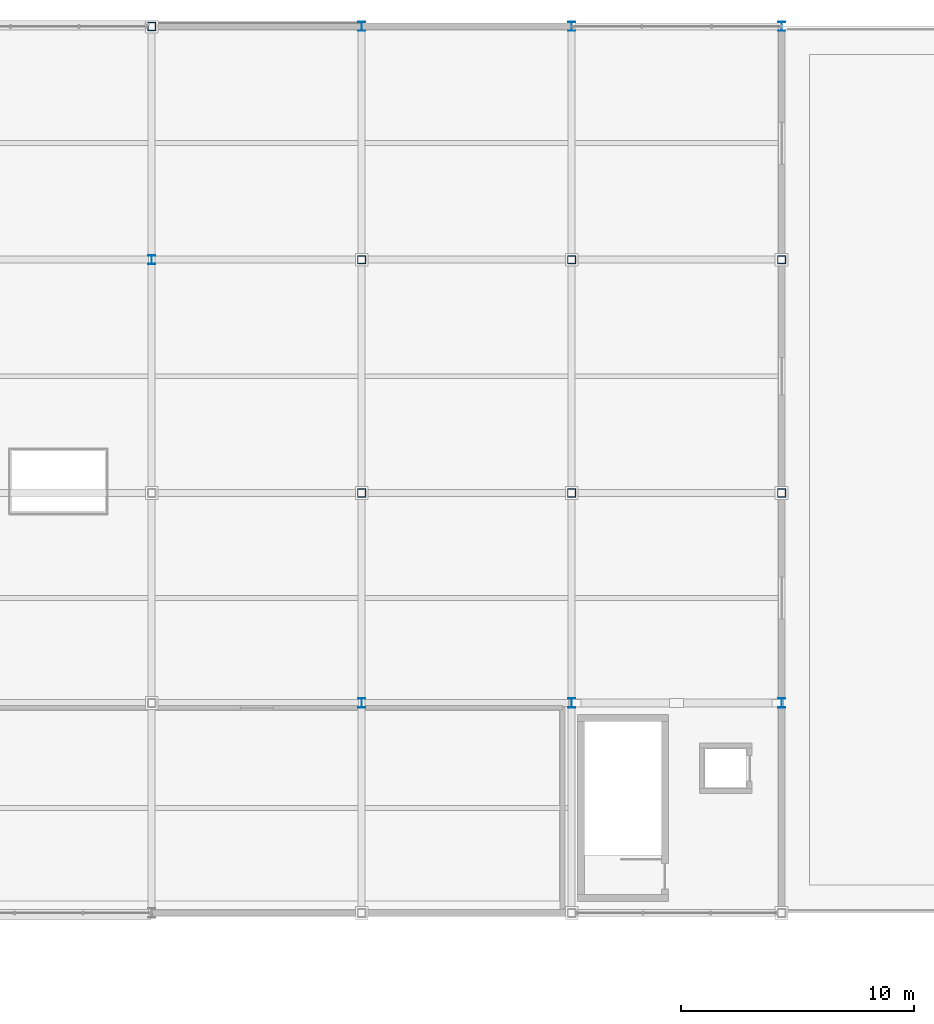
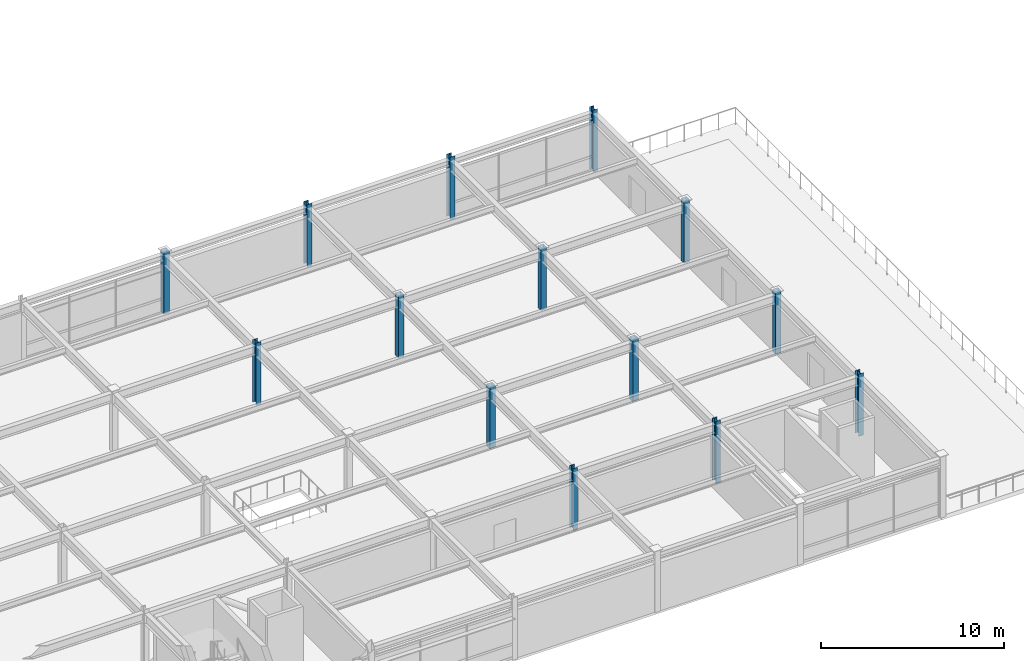
# One storey, part 4 of 40: 14 columns.
"""IFC4 building model written with IfcOpenShell, lengths in metres."""

import ifcopenshell
import ifcopenshell.guid

model = None  # the IFC model being written
_history = None  # IfcOwnerHistory: only IFC2X3 demands one
_inside = {}  # id of a spatial element -> (the spatial element, [elements in it])
_under = {}  # id of a project, library or spatial element -> (it, [spatial elements below it])
_declared = {}  # id of a project -> (the project, [libraries it declares])
_typed = {}  # id of a type object -> (the type object, [elements of that type])
_made_of = {}  # id of a material, layer set ... -> (it, [elements and type objects made of it])


def new_model(schema):
    """Start an empty IFC model of exactly this schema.

    Asked for "IFC4X3", IfcOpenShell would pick the latest addendum, in which some entities
    have other attributes; the version numbers below select the first issue.
    IFC2X3 requires an IfcOwnerHistory on every rooted entity: one is made here for all.
    """
    global model, _history
    if schema == "IFC4X3":
        model = ifcopenshell.file(schema_version=(4, 3, 0, 0))
    else:
        model = ifcopenshell.file(schema=schema)
    _inside.clear()
    _under.clear()
    _declared.clear()
    _typed.clear()
    _made_of.clear()
    _history = None
    if model.schema == "IFC2X3":
        org = make("IfcOrganization", Name="unknown")
        user = make(
            "IfcPersonAndOrganization",
            ThePerson=make("IfcPerson", FamilyName="unknown"),
            TheOrganization=org,
        )
        app = make(
            "IfcApplication",
            ApplicationDeveloper=org,
            Version="unknown",
            ApplicationFullName="unknown",
            ApplicationIdentifier="unknown",
        )
        _history = make(
            "IfcOwnerHistory",
            OwningUser=user,
            OwningApplication=app,
            ChangeAction="ADDED",
            CreationDate=0,
        )
    return model


def make(cls, **values):
    """One entity of the class cls with the attributes given. An attribute that is None is left unset."""
    return model.create_entity(
        cls, **{name: value for name, value in values.items() if value is not None}
    )


def rooted(cls, **values):
    """An entity with a GlobalId (a new one), such as an element, a storey or a relation."""
    return make(cls, GlobalId=ifcopenshell.guid.new(), OwnerHistory=_history, **values)


def si_unit(unit_type, name, prefix=None):
    """IfcSIUnit, for example si_unit("LENGTHUNIT", "METRE", prefix="MILLI")."""
    return make("IfcSIUnit", UnitType=unit_type, Prefix=prefix, Name=name)


def assignment(units):
    """IfcUnitAssignment: the units of a project."""
    return None if units is None else make("IfcUnitAssignment", Units=units)


def point(xyz):
    """IfcCartesianPoint."""
    return None if xyz is None else make("IfcCartesianPoint", Coordinates=xyz)


def direction(xyz):
    """IfcDirection."""
    return None if xyz is None else make("IfcDirection", DirectionRatios=xyz)


def frame(location, z_axis=None, x_axis=None):
    """IfcAxis2Placement3D, a coordinate frame: its origin and axes. An axis left out is left unset."""
    return make(
        "IfcAxis2Placement3D",
        Location=point(location),
        Axis=direction(z_axis),
        RefDirection=direction(x_axis),
    )


def frame_2d(location, x_axis=None):
    """IfcAxis2Placement2D, a coordinate frame in the plane: its origin and x axis."""
    return make(
        "IfcAxis2Placement2D", Location=point(location), RefDirection=direction(x_axis)
    )


def origin():
    """The frame at (0, 0, 0) with its axes left unset."""
    return frame((0.0, 0.0, 0.0))


def origin_2d():
    """The frame at (0, 0) in the plane with its x axis left unset."""
    return frame_2d((0.0, 0.0))


def place(relative_to, where):
    """IfcLocalPlacement: puts the frame where relative to a parent placement (None: the world)."""
    return make(
        "IfcLocalPlacement", PlacementRelTo=relative_to, RelativePlacement=where
    )


def context(
    kind, dimensions, precision=None, world=None, true_north=None, identifier=None
):
    """IfcGeometricRepresentationContext, for example the 3D "Model" context."""
    return make(
        "IfcGeometricRepresentationContext",
        ContextIdentifier=identifier,
        ContextType=kind,
        CoordinateSpaceDimension=dimensions,
        Precision=precision,
        WorldCoordinateSystem=world,
        TrueNorth=true_north,
    )


def subcontext(parent, identifier, kind, view, scale=None):
    """IfcGeometricRepresentationSubContext, for example "Body" below "Model"."""
    return make(
        "IfcGeometricRepresentationSubContext",
        ContextIdentifier=identifier,
        ContextType=kind,
        ParentContext=parent,
        TargetScale=scale,
        TargetView=view,
    )


def project(units=None, contexts=None):
    """IfcProject with its units and contexts."""
    return rooted(
        "IfcProject",
        Name="project",
        RepresentationContexts=contexts,
        UnitsInContext=assignment(units),
    )


def spatial(cls, under=None, at=None, **own):
    """A site, building, storey or space (cls), placed at a placement, below another one or the project."""
    s = rooted(cls, ObjectPlacement=at, **own)
    if under is not None:
        _under.setdefault(under.id(), (under, []))[1].append(s)
    return s


def profile(cls, at=None, kind="AREA", **sizes):
    """A parametric profile (cls). Its sizes go by their IFC names, for example OverallWidth=200.0."""
    return make(cls, ProfileType=kind, Position=at, **sizes)


def hollow_rectangle(**sizes):
    """IfcRectangleHollowProfileDef."""
    return profile("IfcRectangleHollowProfileDef", **sizes)


def i_section(**sizes):
    """IfcIShapeProfileDef."""
    return profile("IfcIShapeProfileDef", **sizes)


def extrude(swept, where, along, depth):
    """IfcExtrudedAreaSolid: the profile swept, set in the frame where, extruded along a direction by depth."""
    return make(
        "IfcExtrudedAreaSolid",
        SweptArea=swept,
        Position=where,
        ExtrudedDirection=direction(along),
        Depth=depth,
    )


def shape(context_of_items, identifier, shape_type, items):
    """IfcShapeRepresentation: the items that make up one representation, for example the "Body"."""
    return make(
        "IfcShapeRepresentation",
        ContextOfItems=context_of_items,
        RepresentationIdentifier=identifier,
        RepresentationType=shape_type,
        Items=items,
    )


def material(Name=None, Category=None):
    """IfcMaterial."""
    return make("IfcMaterial", Name=Name, Category=Category)


def material_profile(
    of_material, cross_section, Name=None, Category=None, Priority=None
):
    """IfcMaterialProfile: a cross section and its material."""
    return make(
        "IfcMaterialProfile",
        Name=Name,
        Material=of_material,
        Profile=cross_section,
        Priority=Priority,
        Category=Category,
    )


def profile_set(profiles, Name=None, composite=None):
    """IfcMaterialProfileSet."""
    return make(
        "IfcMaterialProfileSet",
        Name=Name,
        MaterialProfiles=profiles,
        CompositeProfile=composite,
    )


def made_of(thing, what):
    """Note that an element or type object is made of a material, layer set ...; save() writes the relation."""
    if what is not None:
        _made_of.setdefault(what.id(), (what, []))[1].append(thing)
    return thing


def type_object(cls, material=None, **own):
    """A type object (cls), such as IfcWallType, which elements share."""
    return made_of(rooted(cls, **own), material)


def element(
    cls,
    number,
    at=None,
    inside=None,
    cuts=None,
    type_object=None,
    material=None,
    context=None,
    identifier="Body",
    shape_type=None,
    held_by="IfcProductDefinitionShape",
    body=None,
    shapes=None,
    **own,
):
    """One element of the class cls, such as IfcWall. Its Tag is "e" and its number.

    at: its placement. inside: the storey or other place that contains it. cuts: it is an
    opening in that element (IfcRelVoidsElement). A single representation is given by context,
    identifier, shape_type and body (its items); several are given by shapes. held_by: the class
    of the entity that holds the representations. save() writes the other relations.
    """
    e = rooted(cls, Tag="e%d" % number, ObjectPlacement=at, **own)
    if body is not None:
        shapes = [shape(context, identifier, shape_type, body)]
    if shapes is not None:
        e.Representation = make(held_by, Representations=shapes)
    if inside is not None:
        _inside.setdefault(inside.id(), (inside, []))[1].append(e)
    if cuts is not None:
        rooted(
            "IfcRelVoidsElement", RelatingBuildingElement=cuts, RelatedOpeningElement=e
        )
    if type_object is not None:
        _typed.setdefault(type_object.id(), (type_object, []))[1].append(e)
    return made_of(e, material)


def aggregate(whole, parts):
    """IfcRelAggregates: a whole, such as a stair, and the parts it consists of."""
    return rooted("IfcRelAggregates", RelatingObject=whole, RelatedObjects=parts)


def save(model, path):
    """Write the relations noted so far, then the file.

    IfcRelAggregates (storeys below a building ...), IfcRelContainedInSpatialStructure (elements
    in a storey), IfcRelDefinesByType, IfcRelAssociatesMaterial and IfcRelDeclares: one each for
    every whole, place, type object, material and project.
    """
    for whole, parts in _under.values():
        aggregate(whole, parts)
    for where, things in _inside.values():
        rooted(
            "IfcRelContainedInSpatialStructure",
            RelatedElements=things,
            RelatingStructure=where,
        )
    for kind, things in _typed.values():
        rooted("IfcRelDefinesByType", RelatedObjects=things, RelatingType=kind)
    for what, things in _made_of.values():
        rooted("IfcRelAssociatesMaterial", RelatedObjects=things, RelatingMaterial=what)
    for by, libraries in _declared.values():
        rooted("IfcRelDeclares", RelatingContext=by, RelatedDefinitions=libraries)
    model.write(path)


model = new_model("IFC4")

# Units and contexts
model_context = context("Model", 3, precision=1e-05, world=origin(), true_north=direction((0.0, 1.0)))
body_context = subcontext(model_context, "Body", "Model", "MODEL_VIEW")
ifc_project = project(units=[si_unit("LENGTHUNIT", "METRE"), si_unit("AREAUNIT", "SQUARE_METRE"), si_unit("VOLUMEUNIT", "CUBIC_METRE"), si_unit("PLANEANGLEUNIT", "RADIAN"), si_unit("MASSUNIT", "GRAM", prefix="KILO")], contexts=[model_context])

# Site, building, storey
site_placement = place(None, origin())
site = spatial("IfcSite", under=ifc_project, at=site_placement, CompositionType="ELEMENT")
building_placement = place(site_placement, origin())
building = spatial("IfcBuilding", under=site, at=building_placement, Name="Suzunagisa Mobility Hub", CompositionType="ELEMENT")
storey_placement = place(building_placement, frame((0.0, 0.0, 21.89990234375)))
storey = spatial("IfcBuildingStorey", under=building, at=storey_placement, Name="L05", CompositionType="ELEMENT", Elevation=21.89990234375)

# Columns
ifc_material = material(Name="Steel SN490B", Category="steel")
ifc_material_profile_1 = material_profile(ifc_material, hollow_rectangle(XDim=0.35009765625, YDim=0.35009765625, WallThickness=0.01611328125, at=origin_2d()), Name="BCR-350x350x16")
ifc_profile_set_1 = profile_set([ifc_material_profile_1], Name="Steel SN490B")
column_type_1 = type_object("IfcColumnType", Name="Steel Column CL-04 BCR-350x350x16", PredefinedType="COLUMN", material=ifc_profile_set_1)
for number, where, z_axis, x_axis, name in (
    (1, (72.0, 118.0, 0.0), (0.0, 0.0, 1.0), (1.0, 0.0, 0.0), "L05 Column 158"),
    (2, (81.0, 98.0, 0.0), (0.0, 0.0, 1.0), (1.0, 0.0, 0.0), "L05 Column 173"),
    (3, (81.0, 108.0, 0.0), (0.0, 0.0, 1.0), (1.0, 0.0, 0.0), "L05 Column 174"),
    (4, (90.0, 98.0, 0.0), (0.0, 0.0, 1.0), (1.0, 0.0, 0.0), "L05 Column 188"),
    (5, (90.0, 108.0, 0.0), (0.0, 0.0, 1.0), (1.0, 0.0, 0.0), "L05 Column 189"),
    (6, (99.0, 98.0, 0.0), (0.0, 0.0, 1.0), (1.0, 0.0, 0.0), "L05 Column 197"),
    (7, (99.0, 108.0, 0.0), (0.0, 0.0, 1.0), (1.0, 0.0, 0.0), "L05 Column 198"),
):
    element("IfcColumn", number, at=place(storey_placement, frame(where, z_axis=z_axis, x_axis=x_axis)), inside=storey, type_object=column_type_1, Name=name, PredefinedType="COLUMN", context=body_context, shape_type="SweptSolid", body=[
        extrude(hollow_rectangle(XDim=0.35009765625, YDim=0.35009765625, WallThickness=0.01611328125, at=origin_2d()), origin(), (0.0, 0.0, 1.0), 4.14013671875),
    ])
ifc_material_profile_2 = material_profile(ifc_material, i_section(OverallWidth=0.300048828125, OverallDepth=0.389892578125, WebThickness=0.010009765625, FlangeThickness=0.01611328125, FilletRadius=0.012939453125, at=origin_2d()), Name="H-390x300x10x16")
ifc_profile_set_2 = profile_set([ifc_material_profile_2], Name="Steel SN490B")
column_type_2 = type_object("IfcColumnType", Name="Steel Column CL-07 H-390x300x10x16", PredefinedType="COLUMN", material=ifc_profile_set_2)
for number, where, z_axis, x_axis, name in (
    (8, (72.0, 108.0, 0.0), (0.0, 0.0, 1.0), (1.0, 0.0, 0.0), "L05 Column 157"),
    (9, (81.0, 89.0, 0.0), (0.0, 0.0, 1.0), (1.0, 0.0, 0.0), "L05 Column 172"),
    (10, (81.0, 118.0, 0.0), (0.0, 0.0, 1.0), (1.0, 0.0, 0.0), "L05 Column 175"),
    (11, (90.0, 89.0, 0.0), (0.0, 0.0, 1.0), (1.0, 0.0, 0.0), "L05 Column 187"),
    (12, (90.0, 118.0, 0.0), (0.0, 0.0, 1.0), (1.0, 0.0, 0.0), "L05 Column 190"),
    (13, (99.0, 89.0, 0.0), (0.0, 0.0, 1.0), (1.0, 0.0, 0.0), "L05 Column 196"),
    (14, (99.0, 118.0, 0.0), (0.0, 0.0, 1.0), (1.0, 0.0, 0.0), "L05 Column 199"),
):
    element("IfcColumn", number, at=place(storey_placement, frame(where, z_axis=z_axis, x_axis=x_axis)), inside=storey, type_object=column_type_2, Name=name, PredefinedType="COLUMN", context=body_context, shape_type="SweptSolid", body=[
        extrude(i_section(OverallWidth=0.300048828125, OverallDepth=0.389892578125, WebThickness=0.010009765625, FlangeThickness=0.01611328125, FilletRadius=0.012939453125, at=origin_2d()), origin(), (0.0, 0.0, 1.0), 4.14013671875),
    ])

save(model, "model.ifc")
